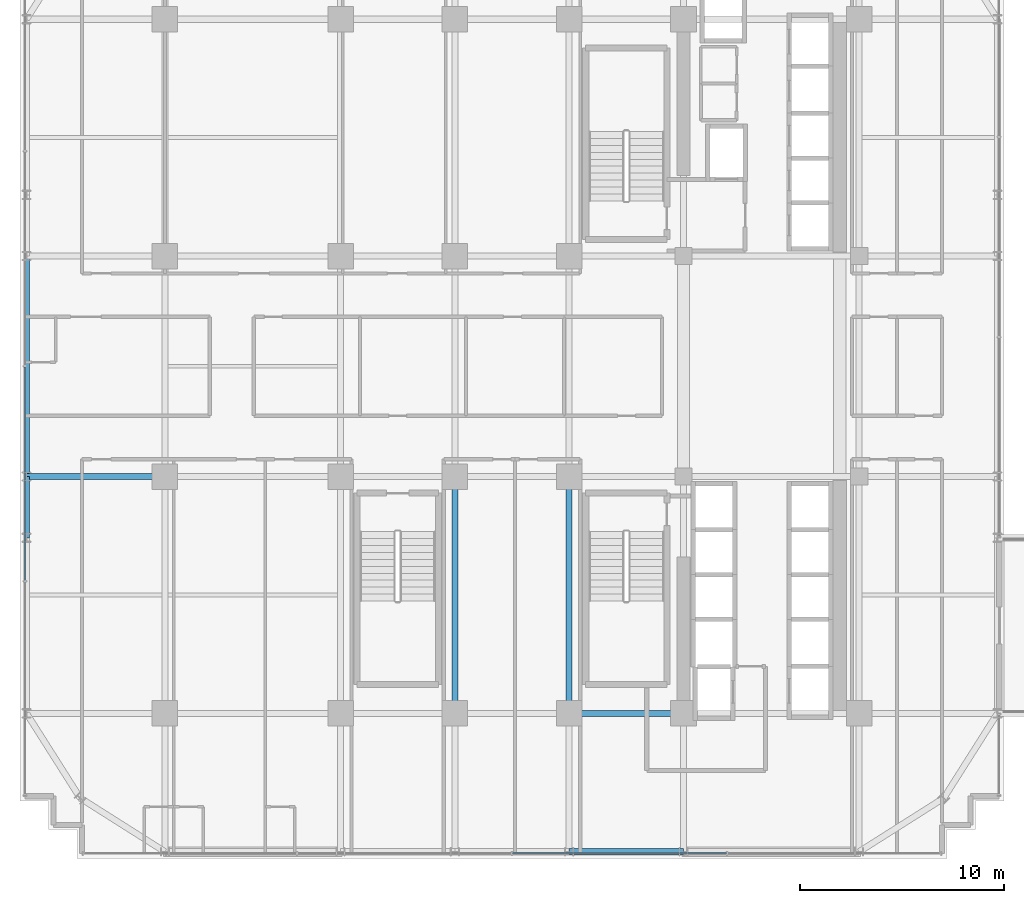
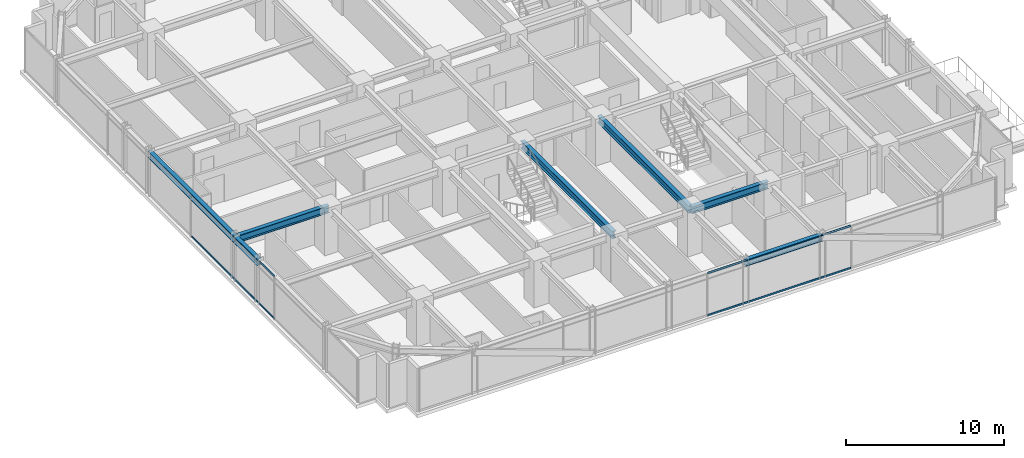
# One storey, part 7 of 34: 7 beams, 4 members, 2 elements without a shape of their own.
"""IFC4 building model written with IfcOpenShell, lengths in metres."""

from ifc_helpers import new_model, si_unit, direction, frame, origin, origin_2d, place, context, subcontext, project, spatial, hollow_rectangle, i_section, extrude, source, transform, mapped, material, material_profile, profile_set, type_object, element, aggregate, save


model = new_model("IFC4")

# Units and contexts
model_context = context("Model", 3, precision=1e-05, world=origin(), true_north=direction((0.0, 1.0)))
body_context = subcontext(model_context, "Body", "Model", "MODEL_VIEW")
ifc_project = project(units=[si_unit("LENGTHUNIT", "METRE"), si_unit("AREAUNIT", "SQUARE_METRE"), si_unit("VOLUMEUNIT", "CUBIC_METRE"), si_unit("PLANEANGLEUNIT", "RADIAN"), si_unit("MASSUNIT", "GRAM", prefix="KILO")], contexts=[model_context])

# Site, building, storey
site_placement = place(None, origin())
site = spatial("IfcSite", under=ifc_project, at=site_placement, CompositionType="ELEMENT")
building_placement = place(site_placement, origin())
building = spatial("IfcBuilding", under=site, at=building_placement, Name="Nahalor Promenade Grand Hotel", CompositionType="ELEMENT")
storey_placement = place(building_placement, frame((0.0, 0.0, 128.449951171875)))
storey = spatial("IfcBuildingStorey", under=building, at=storey_placement, Name="L32", CompositionType="ELEMENT", Elevation=128.449951171875)

# Beams
ifc_material_1 = material(Name="Steel S355JR", Category="steel")
ifc_material_profile_1 = material_profile(ifc_material_1, i_section(OverallWidth=0.3, OverallDepth=0.5, WebThickness=0.0145, FlangeThickness=0.028, at=origin_2d()), Name="HEB 500")
ifc_profile_set_1 = profile_set([ifc_material_profile_1], Name="Steel S355JR")
beam_type_1 = type_object("IfcBeamType", Name="Beam-Spandrel-HEB500", PredefinedType="SPANDREL", material=ifc_profile_set_1)
shared_shape_1 = source(origin(), body_context, "Body", "SweptSolid", [
    extrude(i_section(OverallWidth=0.3, OverallDepth=0.5, WebThickness=0.0145, FlangeThickness=0.028, at=origin_2d()), origin(), (0.0, 0.0, 1.0), 5.599853515625),
])
beam_1_placement = place(storey_placement, frame((2.800048828125, -23.780029296875, 3.130126953125), z_axis=(1.0, 0.0, 0.0), x_axis=(0.0, 1.0, 0.0)))
element("IfcBeam", 1, at=beam_1_placement, inside=storey, type_object=beam_type_1, Name="BM-L32-SP-S-3", PredefinedType="SPANDREL", context=body_context, shape_type="MappedRepresentation", body=[
    mapped(shared_shape_1, transform((0.0, 0.0, 0.0), scale=1.0)),
])
shared_shape_2 = source(origin(), body_context, "Body", "SweptSolid", [
    extrude(i_section(OverallWidth=0.3, OverallDepth=0.5, WebThickness=0.0145, FlangeThickness=0.028, at=origin_2d()), origin(), (0.0, 0.0, 1.0), 3.0),
])
beam_2_placement = place(storey_placement, frame((-23.780029296875, -8.39990234375, 3.130126953125), z_axis=(0.0, 1.0, 0.0), x_axis=(-1.0, 0.0, 0.0)))
element("IfcBeam", 2, at=beam_2_placement, inside=storey, type_object=beam_type_1, Name="BM-L32-SP-W-1", PredefinedType="SPANDREL", context=body_context, shape_type="MappedRepresentation", body=[
    mapped(shared_shape_2, transform((0.0, 0.0, 0.0), scale=1.0)),
])
shared_shape_3 = source(origin(), body_context, "Body", "SweptSolid", [
    extrude(i_section(OverallWidth=0.3, OverallDepth=0.5, WebThickness=0.0145, FlangeThickness=0.028, at=origin_2d()), origin(), (0.0, 0.0, 1.0), 10.7998046875),
])
beam_3_placement = place(storey_placement, frame((-23.780029296875, -5.39990234375, 3.130126953125), z_axis=(0.0, 1.0, 0.0), x_axis=(-1.0, 0.0, 0.0)))
element("IfcBeam", 3, at=beam_3_placement, inside=storey, type_object=beam_type_1, Name="BM-L32-SP-W-2", PredefinedType="SPANDREL", context=body_context, shape_type="MappedRepresentation", body=[
    mapped(shared_shape_3, transform((0.0, 0.0, 0.0), scale=1.0)),
])
ifc_material_profile_2 = material_profile(ifc_material_1, i_section(OverallWidth=0.3, OverallDepth=0.55, WebThickness=0.015, FlangeThickness=0.029, at=origin_2d()), Name="HEB 550")
ifc_profile_set_2 = profile_set([ifc_material_profile_2], Name="Steel S355JR")
beam_type_2 = type_object("IfcBeamType", Name="Beam-Girder-HEB550", PredefinedType="BEAM", material=ifc_profile_set_2)
shared_shape_4 = source(origin(), body_context, "Body", "SweptSolid", [
    extrude(i_section(OverallWidth=0.3, OverallDepth=0.55, WebThickness=0.015, FlangeThickness=0.029, at=origin_2d()), origin(), (0.0, 0.0, 1.0), 6.780029296875),
])
beam_4_placement = place(storey_placement, frame((-23.780029296875, -5.39990234375, 3.10498046875), z_axis=(1.0, 0.0, 0.0), x_axis=(0.0, 1.0, 0.0)))
element("IfcBeam", 4, at=beam_4_placement, inside=storey, type_object=beam_type_2, Name="BM-L32-GX-1-0", PredefinedType="BEAM", context=body_context, shape_type="MappedRepresentation", body=[
    mapped(shared_shape_4, transform((0.0, 0.0, 0.0), scale=1.0)),
])
shared_shape_5 = source(origin(), body_context, "Body", "SweptSolid", [
    extrude(i_section(OverallWidth=0.3, OverallDepth=0.55, WebThickness=0.015, FlangeThickness=0.029, at=origin_2d()), origin(), (0.0, 0.0, 1.0), 5.599853515625),
])
beam_5_placement = place(storey_placement, frame((2.800048828125, -17.0, 3.10498046875), z_axis=(1.0, 0.0, 0.0), x_axis=(0.0, 1.0, 0.0)))
element("IfcBeam", 5, at=beam_5_placement, inside=storey, type_object=beam_type_2, Name="BM-L32-GX-0-4", PredefinedType="BEAM", context=body_context, shape_type="MappedRepresentation", body=[
    mapped(shared_shape_5, transform((0.0, 0.0, 0.0), scale=1.0)),
])
shared_shape_6 = source(origin(), body_context, "Body", "SweptSolid", [
    extrude(i_section(OverallWidth=0.3, OverallDepth=0.55, WebThickness=0.015, FlangeThickness=0.029, at=origin_2d()), origin(), (0.0, 0.0, 1.0), 11.60009765625),
])
for number, where, z_axis, x_axis, name in (
    (6, (-2.800048828125, -17.0, 3.10498046875), (0.0, 1.0, 0.0), (-1.0, 0.0, 0.0), "BM-L32-GY-2-1"),
    (7, (2.800048828125, -17.0, 3.10498046875), (0.0, 1.0, 0.0), (-1.0, 0.0, 0.0), "BM-L32-GY-3-1"),
):
    element("IfcBeam", number, at=place(storey_placement, frame(where, z_axis=z_axis, x_axis=x_axis)), inside=storey, type_object=beam_type_2, Name=name, PredefinedType="BEAM", context=body_context, shape_type="MappedRepresentation", body=[
        mapped(shared_shape_6, transform((0.0, 0.0, 0.0), scale=1.0)),
    ])

# Curtain wall, members
ifc_material_2 = material(Name="Anodised Bronze Aluminium EN AW-6063 T6", Category="aluminium")
curtain_wall_type = type_object("IfcCurtainWallType", Name="CW2 Typical Hotel Flush Bronze Unitised Curtain Wall", PredefinedType="USERDEFINED", material=ifc_material_2)
curtain_wall_1_placement = place(storey_placement, origin())
curtain_wall_1 = element("IfcCurtainWall", 8, at=curtain_wall_1_placement, inside=storey, type_object=curtain_wall_type, Name="L32 Curtain Wall CW-L32-S-1", ObjectType="UNITISED_CURTAIN_WALL", PredefinedType="USERDEFINED")
ifc_material_profile_3 = material_profile(ifc_material_2, hollow_rectangle(XDim=0.065, YDim=0.13, WallThickness=0.004, at=origin_2d()), Name="CWT 65x130x4")
ifc_profile_set_3 = profile_set([ifc_material_profile_3], Name="Anodised Bronze Aluminium EN AW-6063 T6")
member_type = type_object("IfcMemberType", Name="CWT2 Typical Bronze Transom 65x130", PredefinedType="USERDEFINED", material=ifc_profile_set_3)
shared_shape_7 = source(origin(), body_context, "Body", "SweptSolid", [
    extrude(hollow_rectangle(XDim=0.065, YDim=0.13, WallThickness=0.004, at=origin_2d()), origin(), (0.0, 0.0, 1.0), 10.465087890625),
])
member_1_placement = place(storey_placement, frame((0.032470703125, -23.860107421875, 0.06494140625), z_axis=(1.0, 0.0, 0.0), x_axis=(0.0, 1.0, 0.0)))
member_1 = element("IfcMember", 9, at=member_1_placement, type_object=member_type, Name="CW-L32-S-1 Transom 2-0", ObjectType="TRANSOM", PredefinedType="USERDEFINED", context=body_context, shape_type="MappedRepresentation", body=[
    mapped(shared_shape_7, transform((0.0, 0.0, 0.0), scale=1.0)),
])
member_2_placement = place(storey_placement, frame((0.032470703125, -23.860107421875, 3.31494140625), z_axis=(1.0, 0.0, 0.0), x_axis=(0.0, 1.0, 0.0)))
member_2 = element("IfcMember", 10, at=member_2_placement, type_object=member_type, Name="CW-L32-S-1 Transom 2-1", ObjectType="TRANSOM", PredefinedType="USERDEFINED", context=body_context, shape_type="MappedRepresentation", body=[
    mapped(shared_shape_7, transform((0.0, 0.0, 0.0), scale=1.0)),
])
aggregate(curtain_wall_1, [member_1, member_2])

curtain_wall_2_placement = place(storey_placement, origin())
curtain_wall_2 = element("IfcCurtainWall", 11, at=curtain_wall_2_placement, inside=storey, type_object=curtain_wall_type, Name="L32 Curtain Wall CW-L32-W-1", ObjectType="UNITISED_CURTAIN_WALL", PredefinedType="USERDEFINED")
member_3_placement = place(storey_placement, frame((-23.860107421875, -10.49755859375, 0.06494140625), z_axis=(0.0, 1.0, 0.0), x_axis=(-1.0, 0.0, 0.0)))
member_3 = element("IfcMember", 12, at=member_3_placement, type_object=member_type, Name="CW-L32-W-1 Transom 1-0", ObjectType="TRANSOM", PredefinedType="USERDEFINED", context=body_context, shape_type="MappedRepresentation", body=[
    mapped(shared_shape_7, transform((0.0, 0.0, 0.0), scale=1.0)),
])
member_4_placement = place(storey_placement, frame((-23.860107421875, -10.49755859375, 3.31494140625), z_axis=(0.0, 1.0, 0.0), x_axis=(-1.0, 0.0, 0.0)))
member_4 = element("IfcMember", 13, at=member_4_placement, type_object=member_type, Name="CW-L32-W-1 Transom 1-1", ObjectType="TRANSOM", PredefinedType="USERDEFINED", context=body_context, shape_type="MappedRepresentation", body=[
    mapped(shared_shape_7, transform((0.0, 0.0, 0.0), scale=1.0)),
])
aggregate(curtain_wall_2, [member_3, member_4])

save(model, "model.ifc")
